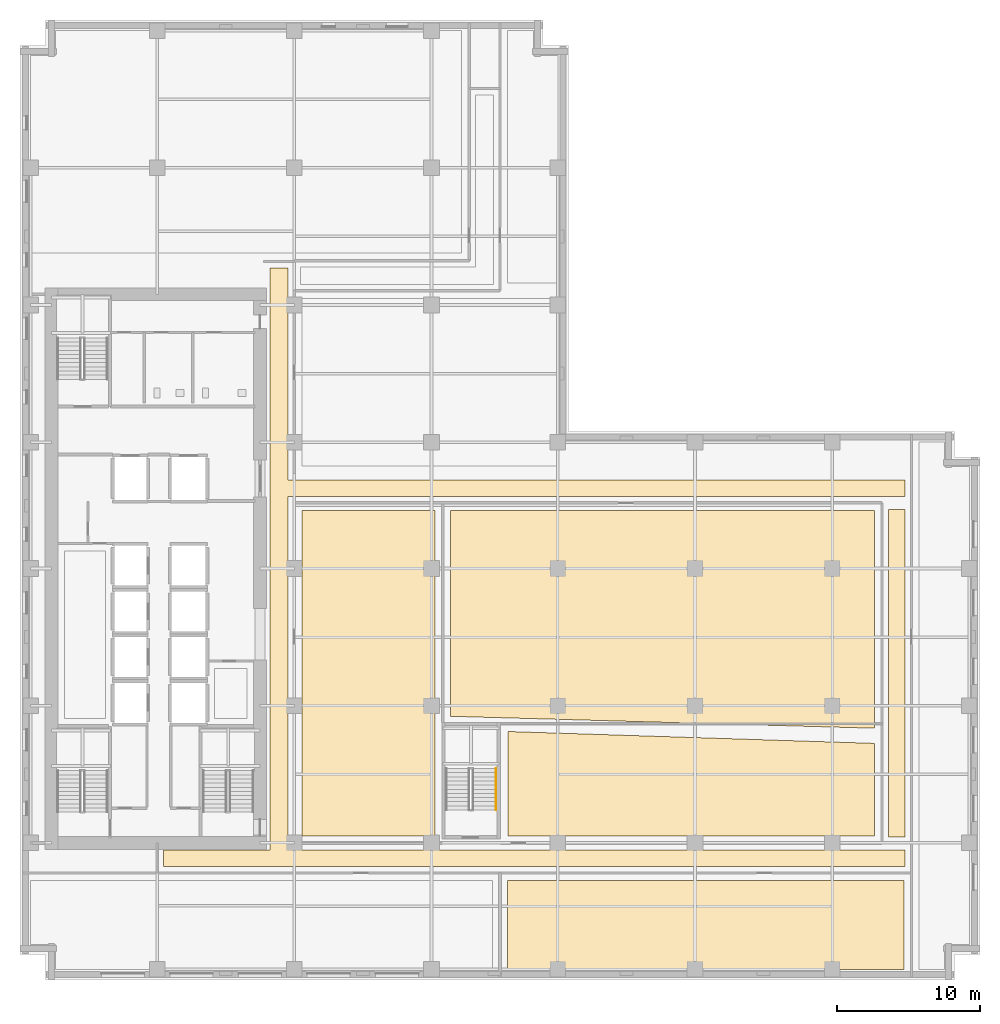
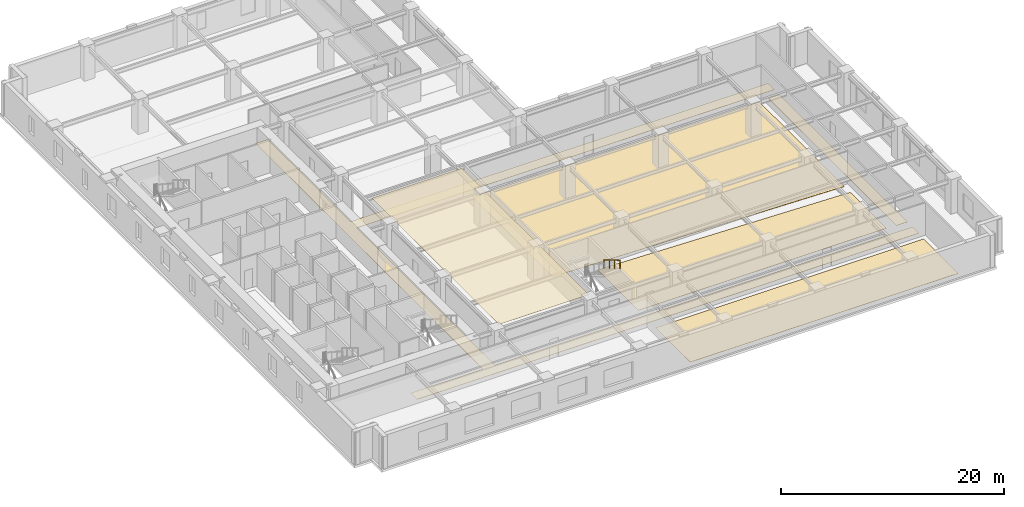
# One storey, part 10 of 13: 6 coverings, 1 railing.
"""IFC4 building model written with IfcOpenShell, lengths in metres."""

from ifc_helpers import new_model, si_unit, direction, frame, origin, origin_2d, place, context, subcontext, project, spatial, polyline, circle, outline, extrude, material, layer, layer_set, type_object, element, save


model = new_model("IFC4")

# Units and contexts
model_context = context("Model", 3, precision=1e-05, world=origin(), true_north=direction((0.0, 1.0)))
body_context = subcontext(model_context, "Body", "Model", "MODEL_VIEW")
ifc_project = project(units=[si_unit("LENGTHUNIT", "METRE"), si_unit("AREAUNIT", "SQUARE_METRE"), si_unit("VOLUMEUNIT", "CUBIC_METRE"), si_unit("PLANEANGLEUNIT", "RADIAN"), si_unit("MASSUNIT", "GRAM", prefix="KILO")], contexts=[model_context])

# Site, building, storey
site_placement = place(None, origin())
site = spatial("IfcSite", under=ifc_project, at=site_placement, CompositionType="ELEMENT")
building_placement = place(site_placement, origin())
building = spatial("IfcBuilding", under=site, at=building_placement, Name="Norrvale University Quadrangle", CompositionType="ELEMENT")
storey_placement = place(building_placement, frame((0.0, 0.0, 85.0)))
storey = spatial("IfcBuildingStorey", under=building, at=storey_placement, Name="L21", CompositionType="ELEMENT", Elevation=85.0)

# Coverings
ifc_material_1 = material(Name="Perforated Acoustic Mineral Ceiling")
ifc_layer_1 = layer(ifc_material_1, 0.02490234375, Name="Perforated Acoustic Mineral Ceiling")
ifc_layer_set_1 = layer_set([ifc_layer_1], Name="Perforated Acoustic Mineral Ceiling")
covering_type_1 = type_object("IfcCoveringType", Name="Covering Acoustic Ceiling 25", PredefinedType="CEILING", material=ifc_layer_set_1)
covering_1_placement = place(storey_placement, frame((0.0, 0.0, 3.514892578125)))
element("IfcCovering", 1, at=covering_1_placement, inside=storey, type_object=covering_type_1, Name="Acoustic Ceiling RM-L21-IW1", PredefinedType="CEILING", context=body_context, shape_type="SweptSolid", body=[
    extrude(outline(polyline([(19.72998046875, 10.080078125), (19.72998046875, 32.8701171875), (29.050048828125, 32.8701171875), (29.050048828125, 10.080078125), (19.72998046875, 10.080078125)])), origin(), (0.0, 0.0, 1.0), 0.025146484375),
])
ifc_material_2 = material(Name="Polished Terrazzo Flooring")
ifc_layer_2 = layer(ifc_material_2, 0.02490234375, Name="Polished Terrazzo Flooring")
ifc_layer_set_2 = layer_set([ifc_layer_2], Name="Polished Terrazzo Flooring")
covering_type_2 = type_object("IfcCoveringType", Name="Covering Terrazzo Floor 30", PredefinedType="FLOORING", material=ifc_layer_set_2)
covering_2_placement = place(storey_placement, origin())
element("IfcCovering", 2, at=covering_2_placement, inside=storey, type_object=covering_type_2, Name="Terrazzo Flooring RM-L21-CORR1", PredefinedType="FLOORING", context=body_context, shape_type="SweptSolid", body=[
    extrude(outline(polyline([(10.050048828125, 7.949951171875), (10.050048828125, 9.10009765625), (17.5, 9.10009765625), (17.5, 49.85009765625), (18.75, 49.85009765625), (18.75, 35.0), (61.949951171875, 35.0), (61.949951171875, 33.85009765625), (18.75, 33.85009765625), (18.75, 9.10009765625), (61.949951171875, 9.10009765625), (61.949951171875, 7.949951171875), (10.050048828125, 7.949951171875)])), origin(), (0.0, 0.0, 1.0), 0.02490234375),
])
covering_3_placement = place(storey_placement, origin())
element("IfcCovering", 3, at=covering_3_placement, inside=storey, type_object=covering_type_2, Name="Terrazzo Flooring RM-L21-CORR2", PredefinedType="FLOORING", context=body_context, shape_type="SweptSolid", body=[
    extrude(outline(polyline([(60.800048828125, 10.0), (60.800048828125, 32.949951171875), (61.949951171875, 32.949951171875), (61.949951171875, 10.0), (60.800048828125, 10.0)])), origin(), (0.0, 0.0, 1.0), 0.02490234375),
])
covering_4_placement = place(storey_placement, origin())
element("IfcCovering", 4, at=covering_4_placement, inside=storey, type_object=covering_type_2, Name="Terrazzo Flooring RM-L21-S02", PredefinedType="FLOORING", context=body_context, shape_type="SweptSolid", body=[
    extrude(outline(polyline([(34.1298828125, 6.969970703125), (61.8701171875, 6.969970703125), (61.8701171875, 0.75), (34.1298828125, 0.75), (34.1298828125, 6.969970703125)])), origin(), (0.0, 0.0, 1.0), 0.02490234375),
])
covering_5_placement = place(storey_placement, origin())
element("IfcCovering", 5, at=covering_5_placement, inside=storey, type_object=covering_type_2, Name="Terrazzo Flooring RM-L21-ILH", PredefinedType="FLOORING", context=body_context, shape_type="SweptSolid", body=[
    extrude(outline(polyline([(30.1298828125, 18.4580078125), (30.1298828125, 32.8701171875), (59.820068359375, 32.8701171875), (59.820068359375, 17.623046875), (30.1298828125, 18.4580078125)])), origin(), (0.0, 0.0, 1.0), 0.02490234375),
])
covering_6_placement = place(storey_placement, origin())
element("IfcCovering", 6, at=covering_6_placement, inside=storey, type_object=covering_type_2, Name="Terrazzo Flooring RM-L21-ISE", PredefinedType="FLOORING", context=body_context, shape_type="SweptSolid", body=[
    extrude(outline(polyline([(34.14990234375, 10.080078125), (34.14990234375, 17.39501953125), (59.820068359375, 16.56396484375), (59.820068359375, 10.080078125), (34.14990234375, 10.080078125)])), origin(), (0.0, 0.0, 1.0), 0.02490234375),
])

# Railing
ifc_material_3 = material(Name="Stainless Steel 316L Handrail", Category="steel")
railing_type = type_object("IfcRailingType", Name="Railing Stair Handrail 920", PredefinedType="HANDRAIL", material=ifc_material_3)
railing_placement = place(storey_placement, frame((33.31005859375, 14.800048828125, 2.07275390625)))
element("IfcRailing", 7, at=railing_placement, inside=storey, type_object=railing_type, Name="Stair Upper Flight Handrail ST-04 L21", PredefinedType="HANDRAIL", context=body_context, shape_type="SweptSolid", body=[
    extrude(circle(Radius=0.02392578125, at=origin_2d()), frame((0.0, 0.0, 0.89599609375), z_axis=(0.0, -0.859160404282, 0.51170636083), x_axis=(1.0, 0.0, 0.0)), (0.0, 0.0, 1.0), 3.37548828125),
    extrude(circle(Radius=0.02099609375, at=origin_2d()), origin(), (0.0, 0.0, 1.0), 0.871826171875),
    extrude(circle(Radius=0.02099609375, at=origin_2d()), frame((0.0, -0.966796875, 0.57568359375)), (0.0, 0.0, 1.0), 0.871826171875),
    extrude(circle(Radius=0.02099609375, at=origin_2d()), frame((0.0, -1.933349609375, 1.151611328125)), (0.0, 0.0, 1.0), 0.871826171875),
    extrude(circle(Radius=0.02099609375, at=origin_2d()), frame((0.0, -2.900146484375, 1.727294921875)), (0.0, 0.0, 1.0), 0.871826171875),
])

save(model, "model.ifc")
